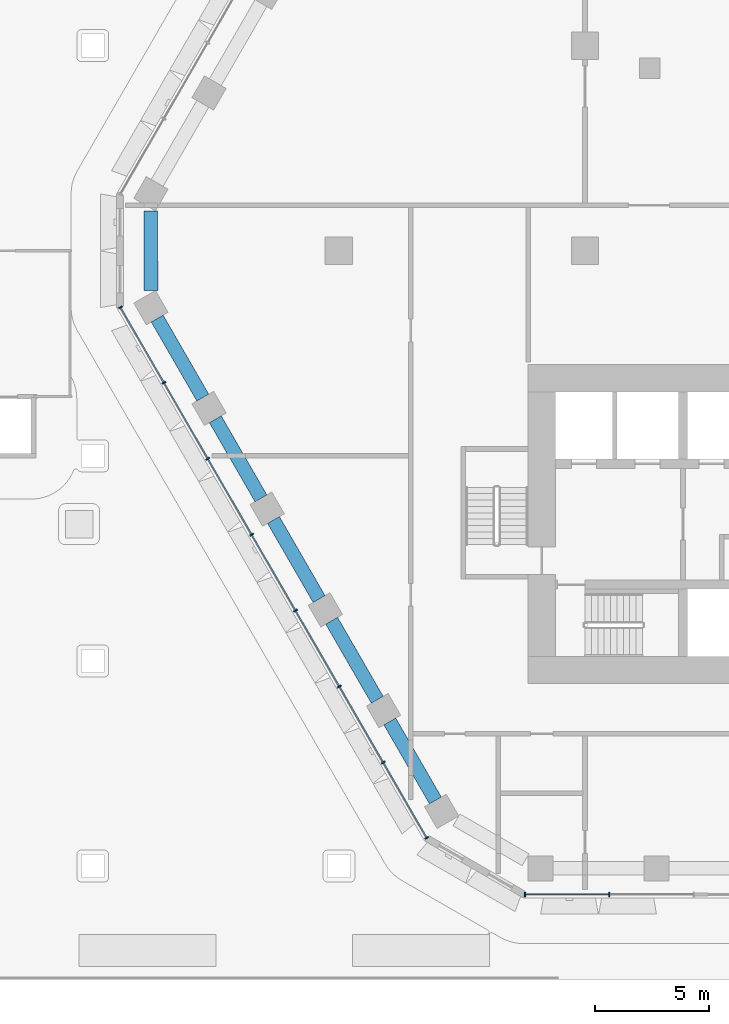
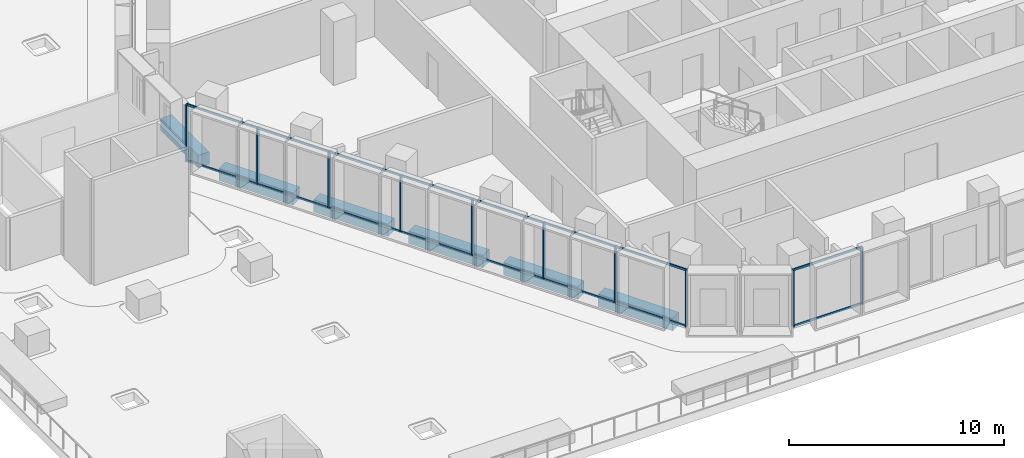
# One storey, part 6 of 38: 26 members, 6 beams, 2 elements without a shape of their own.
"""IFC4 building model written with IfcOpenShell, lengths in metres."""

from ifc_helpers import new_model, si_unit, direction, frame, origin, origin_2d, place, context, subcontext, project, spatial, rectangle, hollow_rectangle, extrude, material, material_profile, profile_set, type_object, element, aggregate, save


model = new_model("IFC4")

# Units and contexts
model_context = context("Model", 3, precision=1e-05, world=origin(), true_north=direction((0.0, 1.0)))
body_context = subcontext(model_context, "Body", "Model", "MODEL_VIEW")
ifc_project = project(units=[si_unit("LENGTHUNIT", "METRE"), si_unit("AREAUNIT", "SQUARE_METRE"), si_unit("VOLUMEUNIT", "CUBIC_METRE"), si_unit("PLANEANGLEUNIT", "RADIAN"), si_unit("MASSUNIT", "GRAM", prefix="KILO")], contexts=[model_context])

# Site, building, storey
site_placement = place(None, origin())
site = spatial("IfcSite", under=ifc_project, at=site_placement, CompositionType="ELEMENT")
building_placement = place(site_placement, origin())
building = spatial("IfcBuilding", under=site, at=building_placement, Name="Beryl Residences", CompositionType="ELEMENT")
storey_placement = place(building_placement, frame((0.0, 0.0, 9.0)))
storey = spatial("IfcBuildingStorey", under=building, at=storey_placement, Name="L02", CompositionType="ELEMENT", Elevation=9.0)

# Curtain wall, members
ifc_material_1 = material(Name="Aluminium and clear glass", Category="aluminium")
curtain_wall_type = type_object("IfcCurtainWallType", Name="CW2 amenity glazing glazed wall", PredefinedType="NOTDEFINED", material=ifc_material_1)
curtain_wall_1_placement = place(storey_placement, origin())
curtain_wall_1 = element("IfcCurtainWall", 1, at=curtain_wall_1_placement, inside=storey, type_object=curtain_wall_type, Name="CW2 L02 SW", PredefinedType="NOTDEFINED")
ifc_material_2 = material(Name="Aluminium", Category="aluminium")
ifc_material_profile_1 = material_profile(ifc_material_2, rectangle(XDim=0.06005859375, YDim=0.179931640625, at=origin_2d()))
ifc_profile_set_1 = profile_set([ifc_material_profile_1], Name="Aluminium")
member_type_1 = type_object("IfcMemberType", Name="CW2-M mullion 60 x 180 mm", PredefinedType="MULLION", material=ifc_profile_set_1)
member_1_placement = place(storey_placement, frame((-31.18505859375, -2.486083984375, 0.0), z_axis=(0.0, 0.0, 1.0), x_axis=(0.500011643322, -0.866018681405, 0.0)))
member_1 = element("IfcMember", 2, at=member_1_placement, type_object=member_type_1, Name="CW2 mullion 1", PredefinedType="MULLION", context=body_context, shape_type="SweptSolid", body=[
    extrude(rectangle(XDim=0.06005859375, YDim=0.179931640625, at=origin_2d()), origin(), (0.0, 0.0, 1.0), 3.25),
])
member_2_placement = place(storey_placement, frame((-29.275634765625, -5.79296875, 0.0), z_axis=(0.0, 0.0, 1.0), x_axis=(0.500011643322, -0.866018681405, 0.0)))
member_2 = element("IfcMember", 3, at=member_2_placement, type_object=member_type_1, Name="CW2 mullion 2", PredefinedType="MULLION", context=body_context, shape_type="SweptSolid", body=[
    extrude(rectangle(XDim=0.06005859375, YDim=0.179931640625, at=origin_2d()), origin(), (0.0, 0.0, 1.0), 3.25),
])
member_3_placement = place(storey_placement, frame((-27.351318359375, -9.125732421875, 0.0), z_axis=(0.0, 0.0, 1.0), x_axis=(0.500011643322, -0.866018681405, 0.0)))
member_3 = element("IfcMember", 4, at=member_3_placement, type_object=member_type_1, Name="CW2 mullion 3", PredefinedType="MULLION", context=body_context, shape_type="SweptSolid", body=[
    extrude(rectangle(XDim=0.06005859375, YDim=0.179931640625, at=origin_2d()), origin(), (0.0, 0.0, 1.0), 3.25),
])
member_4_placement = place(storey_placement, frame((-25.42724609375, -12.45849609375, 0.0), z_axis=(0.0, 0.0, 1.0), x_axis=(0.500011643322, -0.866018681405, 0.0)))
member_4 = element("IfcMember", 5, at=member_4_placement, type_object=member_type_1, Name="CW2 mullion 4", PredefinedType="MULLION", context=body_context, shape_type="SweptSolid", body=[
    extrude(rectangle(XDim=0.06005859375, YDim=0.179931640625, at=origin_2d()), origin(), (0.0, 0.0, 1.0), 3.25),
])
member_5_placement = place(storey_placement, frame((-23.5029296875, -15.79150390625, 0.0), z_axis=(0.0, 0.0, 1.0), x_axis=(0.500011643322, -0.866018681405, 0.0)))
member_5 = element("IfcMember", 6, at=member_5_placement, type_object=member_type_1, Name="CW2 mullion 5", PredefinedType="MULLION", context=body_context, shape_type="SweptSolid", body=[
    extrude(rectangle(XDim=0.06005859375, YDim=0.179931640625, at=origin_2d()), origin(), (0.0, 0.0, 1.0), 3.25),
])
member_6_placement = place(storey_placement, frame((-21.57861328125, -19.124267578125, 0.0), z_axis=(0.0, 0.0, 1.0), x_axis=(0.500011643322, -0.866018681405, 0.0)))
member_6 = element("IfcMember", 7, at=member_6_placement, type_object=member_type_1, Name="CW2 mullion 6", PredefinedType="MULLION", context=body_context, shape_type="SweptSolid", body=[
    extrude(rectangle(XDim=0.06005859375, YDim=0.179931640625, at=origin_2d()), origin(), (0.0, 0.0, 1.0), 3.25),
])
member_7_placement = place(storey_placement, frame((-19.654296875, -22.45703125, 0.0), z_axis=(0.0, 0.0, 1.0), x_axis=(0.500011643322, -0.866018681405, 0.0)))
member_7 = element("IfcMember", 8, at=member_7_placement, type_object=member_type_1, Name="CW2 mullion 7", PredefinedType="MULLION", context=body_context, shape_type="SweptSolid", body=[
    extrude(rectangle(XDim=0.06005859375, YDim=0.179931640625, at=origin_2d()), origin(), (0.0, 0.0, 1.0), 3.25),
])
member_8_placement = place(storey_placement, frame((-17.7451171875, -25.763916015625, 0.0), z_axis=(0.0, 0.0, 1.0), x_axis=(0.500011643322, -0.866018681405, 0.0)))
member_8 = element("IfcMember", 9, at=member_8_placement, type_object=member_type_1, Name="CW2 mullion 8", PredefinedType="MULLION", context=body_context, shape_type="SweptSolid", body=[
    extrude(rectangle(XDim=0.06005859375, YDim=0.179931640625, at=origin_2d()), origin(), (0.0, 0.0, 1.0), 3.25),
])

curtain_wall_2_placement = place(storey_placement, origin())
curtain_wall_2 = element("IfcCurtainWall", 10, at=curtain_wall_2_placement, inside=storey, type_object=curtain_wall_type, Name="CW2 L02 S", PredefinedType="NOTDEFINED")
member_9_placement = place(storey_placement, frame((-13.43994140625, -28.25, 0.0), z_axis=(0.0, 0.0, 1.0), x_axis=(1.0, 0.0, 0.0)))
member_9 = element("IfcMember", 11, at=member_9_placement, type_object=member_type_1, Name="CW2 mullion 1", PredefinedType="MULLION", context=body_context, shape_type="SweptSolid", body=[
    extrude(rectangle(XDim=0.06005859375, YDim=0.179931640625, at=origin_2d()), origin(), (0.0, 0.0, 1.0), 3.25),
])
member_10_placement = place(storey_placement, frame((-9.735107421875, -28.25, 0.0), z_axis=(0.0, 0.0, 1.0), x_axis=(1.0, 0.0, 0.0)))
member_10 = element("IfcMember", 12, at=member_10_placement, type_object=member_type_1, Name="CW2 mullion 2", PredefinedType="MULLION", context=body_context, shape_type="SweptSolid", body=[
    extrude(rectangle(XDim=0.06005859375, YDim=0.179931640625, at=origin_2d()), origin(), (0.0, 0.0, 1.0), 3.25),
])

# Member
ifc_material_3 = material(Name="Aluminium", Category="aluminium")
ifc_material_profile_2 = material_profile(ifc_material_3, hollow_rectangle(XDim=0.06005859375, YDim=0.1201171875, WallThickness=0.00390625, at=origin_2d()))
ifc_profile_set_2 = profile_set([ifc_material_profile_2], Name="Aluminium")
member_type_2 = type_object("IfcMemberType", Name="CW2-T transom 60 x 120 mm", PredefinedType="USERDEFINED", material=ifc_profile_set_2)
member_11_placement = place(storey_placement, frame((-31.169921875, -2.511962890625, 0.030029296875), z_axis=(0.499988609959, -0.866031979728, 0.0), x_axis=(0.866031979728, 0.499988609959, 0.0)))
member_11 = element("IfcMember", 13, at=member_11_placement, type_object=member_type_2, Name="CW2 transom 1.1", ObjectType="TRANSOM", PredefinedType="USERDEFINED", context=body_context, shape_type="SweptSolid", body=[
    extrude(hollow_rectangle(XDim=0.06005859375, YDim=0.1201171875, WallThickness=0.00390625, at=origin_2d()), origin(), (0.0, 0.0, 1.0), 3.75830078125),
])

member_12_placement = place(storey_placement, frame((-31.169921875, -2.511962890625, 3.219970703125), z_axis=(0.499988609959, -0.866031979728, 0.0), x_axis=(0.866031979728, 0.499988609959, 0.0)))
member_12 = element("IfcMember", 14, at=member_12_placement, type_object=member_type_2, Name="CW2 transom 1.2", ObjectType="TRANSOM", PredefinedType="USERDEFINED", context=body_context, shape_type="SweptSolid", body=[
    extrude(hollow_rectangle(XDim=0.06005859375, YDim=0.1201171875, WallThickness=0.00390625, at=origin_2d()), origin(), (0.0, 0.0, 1.0), 3.75830078125),
])

member_13_placement = place(storey_placement, frame((-29.2607421875, -5.81884765625, 0.030029296875), z_axis=(0.499999503755, -0.866025690291, 0.0), x_axis=(0.866025690291, 0.499999503755, 0.0)))
member_13 = element("IfcMember", 15, at=member_13_placement, type_object=member_type_2, Name="CW2 transom 2.1", ObjectType="TRANSOM", PredefinedType="USERDEFINED", context=body_context, shape_type="SweptSolid", body=[
    extrude(hollow_rectangle(XDim=0.06005859375, YDim=0.1201171875, WallThickness=0.00390625, at=origin_2d()), origin(), (0.0, 0.0, 1.0), 3.78857421875),
])

member_14_placement = place(storey_placement, frame((-29.2607421875, -5.81884765625, 3.219970703125), z_axis=(0.499999503755, -0.866025690291, 0.0), x_axis=(0.866025690291, 0.499999503755, 0.0)))
member_14 = element("IfcMember", 16, at=member_14_placement, type_object=member_type_2, Name="CW2 transom 2.2", ObjectType="TRANSOM", PredefinedType="USERDEFINED", context=body_context, shape_type="SweptSolid", body=[
    extrude(hollow_rectangle(XDim=0.06005859375, YDim=0.1201171875, WallThickness=0.00390625, at=origin_2d()), origin(), (0.0, 0.0, 1.0), 3.78857421875),
])

member_15_placement = place(storey_placement, frame((-27.33642578125, -9.151611328125, 0.030029296875), z_axis=(0.499999503755, -0.866025690291, 0.0), x_axis=(0.866025690291, 0.499999503755, 0.0)))
member_15 = element("IfcMember", 17, at=member_15_placement, type_object=member_type_2, Name="CW2 transom 3.1", ObjectType="TRANSOM", PredefinedType="USERDEFINED", context=body_context, shape_type="SweptSolid", body=[
    extrude(hollow_rectangle(XDim=0.06005859375, YDim=0.1201171875, WallThickness=0.00390625, at=origin_2d()), origin(), (0.0, 0.0, 1.0), 3.78857421875),
])

member_16_placement = place(storey_placement, frame((-27.33642578125, -9.151611328125, 3.219970703125), z_axis=(0.499999503755, -0.866025690291, 0.0), x_axis=(0.866025690291, 0.499999503755, 0.0)))
member_16 = element("IfcMember", 18, at=member_16_placement, type_object=member_type_2, Name="CW2 transom 3.2", ObjectType="TRANSOM", PredefinedType="USERDEFINED", context=body_context, shape_type="SweptSolid", body=[
    extrude(hollow_rectangle(XDim=0.06005859375, YDim=0.1201171875, WallThickness=0.00390625, at=origin_2d()), origin(), (0.0, 0.0, 1.0), 3.78857421875),
])

member_17_placement = place(storey_placement, frame((-25.412109375, -12.484619140625, 0.030029296875), z_axis=(0.500027408906, -0.866009578667, 0.0), x_axis=(0.866009578667, 0.500027408906, 0.0)))
member_17 = element("IfcMember", 19, at=member_17_placement, type_object=member_type_2, Name="CW2 transom 4.1", ObjectType="TRANSOM", PredefinedType="USERDEFINED", context=body_context, shape_type="SweptSolid", body=[
    extrude(hollow_rectangle(XDim=0.06005859375, YDim=0.1201171875, WallThickness=0.00390625, at=origin_2d()), origin(), (0.0, 0.0, 1.0), 3.788330078125),
])

member_18_placement = place(storey_placement, frame((-25.412109375, -12.484619140625, 3.219970703125), z_axis=(0.500027408906, -0.866009578667, 0.0), x_axis=(0.866009578667, 0.500027408906, 0.0)))
member_18 = element("IfcMember", 20, at=member_18_placement, type_object=member_type_2, Name="CW2 transom 4.2", ObjectType="TRANSOM", PredefinedType="USERDEFINED", context=body_context, shape_type="SweptSolid", body=[
    extrude(hollow_rectangle(XDim=0.06005859375, YDim=0.1201171875, WallThickness=0.00390625, at=origin_2d()), origin(), (0.0, 0.0, 1.0), 3.788330078125),
])

member_19_placement = place(storey_placement, frame((-23.48779296875, -15.8173828125, 0.030029296875), z_axis=(0.499999503755, -0.866025690291, 0.0), x_axis=(0.866025690291, 0.499999503755, 0.0)))
member_19 = element("IfcMember", 21, at=member_19_placement, type_object=member_type_2, Name="CW2 transom 5.1", ObjectType="TRANSOM", PredefinedType="USERDEFINED", context=body_context, shape_type="SweptSolid", body=[
    extrude(hollow_rectangle(XDim=0.06005859375, YDim=0.1201171875, WallThickness=0.00390625, at=origin_2d()), origin(), (0.0, 0.0, 1.0), 3.78857421875),
])

member_20_placement = place(storey_placement, frame((-23.48779296875, -15.8173828125, 3.219970703125), z_axis=(0.499999503755, -0.866025690291, 0.0), x_axis=(0.866025690291, 0.499999503755, 0.0)))
member_20 = element("IfcMember", 22, at=member_20_placement, type_object=member_type_2, Name="CW2 transom 5.2", ObjectType="TRANSOM", PredefinedType="USERDEFINED", context=body_context, shape_type="SweptSolid", body=[
    extrude(hollow_rectangle(XDim=0.06005859375, YDim=0.1201171875, WallThickness=0.00390625, at=origin_2d()), origin(), (0.0, 0.0, 1.0), 3.78857421875),
])

member_21_placement = place(storey_placement, frame((-21.5634765625, -19.150146484375, 0.030029296875), z_axis=(0.499999503755, -0.866025690291, 0.0), x_axis=(0.866025690291, 0.499999503755, 0.0)))
member_21 = element("IfcMember", 23, at=member_21_placement, type_object=member_type_2, Name="CW2 transom 6.1", ObjectType="TRANSOM", PredefinedType="USERDEFINED", context=body_context, shape_type="SweptSolid", body=[
    extrude(hollow_rectangle(XDim=0.06005859375, YDim=0.1201171875, WallThickness=0.00390625, at=origin_2d()), origin(), (0.0, 0.0, 1.0), 3.78857421875),
])

member_22_placement = place(storey_placement, frame((-21.5634765625, -19.150146484375, 3.219970703125), z_axis=(0.499999503755, -0.866025690291, 0.0), x_axis=(0.866025690291, 0.499999503755, 0.0)))
member_22 = element("IfcMember", 24, at=member_22_placement, type_object=member_type_2, Name="CW2 transom 6.2", ObjectType="TRANSOM", PredefinedType="USERDEFINED", context=body_context, shape_type="SweptSolid", body=[
    extrude(hollow_rectangle(XDim=0.06005859375, YDim=0.1201171875, WallThickness=0.00390625, at=origin_2d()), origin(), (0.0, 0.0, 1.0), 3.78857421875),
])

member_23_placement = place(storey_placement, frame((-19.639404296875, -22.483154296875, 0.030029296875), z_axis=(0.500037327496, -0.866003851672, 0.0), x_axis=(0.866003851672, 0.500037327496, 0.0)))
member_23 = element("IfcMember", 25, at=member_23_placement, type_object=member_type_2, Name="CW2 transom 7.1", ObjectType="TRANSOM", PredefinedType="USERDEFINED", context=body_context, shape_type="SweptSolid", body=[
    extrude(hollow_rectangle(XDim=0.06005859375, YDim=0.1201171875, WallThickness=0.00390625, at=origin_2d()), origin(), (0.0, 0.0, 1.0), 3.758544921875),
])

member_24_placement = place(storey_placement, frame((-19.639404296875, -22.483154296875, 3.219970703125), z_axis=(0.500037327496, -0.866003851672, 0.0), x_axis=(0.866003851672, 0.500037327496, 0.0)))
member_24 = element("IfcMember", 26, at=member_24_placement, type_object=member_type_2, Name="CW2 transom 7.2", ObjectType="TRANSOM", PredefinedType="USERDEFINED", context=body_context, shape_type="SweptSolid", body=[
    extrude(hollow_rectangle(XDim=0.06005859375, YDim=0.1201171875, WallThickness=0.00390625, at=origin_2d()), origin(), (0.0, 0.0, 1.0), 3.758544921875),
])

aggregate(curtain_wall_1, [member_1, member_2, member_3, member_4, member_5, member_6, member_7, member_8, member_11, member_12, member_13, member_14, member_15, member_16, member_17, member_18, member_19, member_20, member_21, member_22, member_23, member_24])

member_25_placement = place(storey_placement, frame((-13.409912109375, -28.25, 0.030029296875), z_axis=(1.0, 0.0, 0.0), x_axis=(0.0, 1.0, 0.0)))
member_25 = element("IfcMember", 27, at=member_25_placement, type_object=member_type_2, Name="CW2 transom 1.1", ObjectType="TRANSOM", PredefinedType="USERDEFINED", context=body_context, shape_type="SweptSolid", body=[
    extrude(hollow_rectangle(XDim=0.06005859375, YDim=0.1201171875, WallThickness=0.00390625, at=origin_2d()), origin(), (0.0, 0.0, 1.0), 3.64501953125),
])

member_26_placement = place(storey_placement, frame((-13.409912109375, -28.25, 3.219970703125), z_axis=(1.0, 0.0, 0.0), x_axis=(0.0, 1.0, 0.0)))
member_26 = element("IfcMember", 28, at=member_26_placement, type_object=member_type_2, Name="CW2 transom 1.2", ObjectType="TRANSOM", PredefinedType="USERDEFINED", context=body_context, shape_type="SweptSolid", body=[
    extrude(hollow_rectangle(XDim=0.06005859375, YDim=0.1201171875, WallThickness=0.00390625, at=origin_2d()), origin(), (0.0, 0.0, 1.0), 3.64501953125),
])

aggregate(curtain_wall_2, [member_9, member_10, member_25, member_26])

# Beams
ifc_material_4 = material(Name="Concrete C80/95", Category="concrete")
ifc_material_profile_3 = material_profile(ifc_material_4, rectangle(XDim=0.60009765625, YDim=0.699951171875, at=origin_2d()))
ifc_profile_set_3 = profile_set([ifc_material_profile_3], Name="Concrete C80/95")
beam_type = type_object("IfcBeamType", Name="SB1 spandrel beam 600 x 700 C80/95", PredefinedType="SPANDREL", material=ifc_profile_set_3)
beam_1_placement = place(storey_placement, frame((-29.84912109375, 1.748046875, -0.85009765625), z_axis=(0.000349064486, -0.999999939077, 0.0), x_axis=(0.999999939077, 0.000349064486, 0.0)))
element("IfcBeam", 29, at=beam_1_placement, inside=storey, type_object=beam_type, Name="SB1 L02 NW-5", PredefinedType="SPANDREL", context=body_context, shape_type="SweptSolid", body=[
    extrude(rectangle(XDim=0.60009765625, YDim=0.699951171875, at=origin_2d()), origin(), (0.0, 0.0, 1.0), 3.4970703125),
])
beam_2_placement = place(storey_placement, frame((-29.572998046875, -2.97607421875, -0.85009765625), z_axis=(0.499653843024, -0.866225165388, 0.0), x_axis=(0.866225165388, 0.499653843024, 0.0)))
element("IfcBeam", 30, at=beam_2_placement, inside=storey, type_object=beam_type, Name="SB1 L02 SW-0", PredefinedType="SPANDREL", context=body_context, shape_type="SweptSolid", body=[
    extrude(rectangle(XDim=0.60009765625, YDim=0.699951171875, at=origin_2d()), origin(), (0.0, 0.0, 1.0), 4.004638671875),
])
for number, where, z_axis, x_axis, name in (
    (31, (-27.02197265625, -7.39697265625, -0.85009765625), (0.499942357345, -0.866058681229, 0.0), (0.866058681229, 0.499942357345, 0.0), "SB1 L02 SW-1"),
    (32, (-24.469970703125, -11.81689453125, -0.85009765625), (0.499942357345, -0.866058681229, 0.0), (0.866058681229, 0.499942357345, 0.0), "SB1 L02 SW-2"),
    (33, (-21.91796875, -16.237060546875, -0.85009765625), (0.499942357345, -0.866058681229, 0.0), (0.866058681229, 0.499942357345, 0.0), "SB1 L02 SW-3"),
    (34, (-19.365966796875, -20.656982421875, -0.85009765625), (0.499942357345, -0.866058681229, 0.0), (0.866058681229, 0.499942357345, 0.0), "SB1 L02 SW-4"),
):
    element("IfcBeam", number, at=place(storey_placement, frame(where, z_axis=z_axis, x_axis=x_axis)), inside=storey, type_object=beam_type, Name=name, PredefinedType="SPANDREL", context=body_context, shape_type="SweptSolid", body=[
        extrude(rectangle(XDim=0.60009765625, YDim=0.699951171875, at=origin_2d()), origin(), (0.0, 0.0, 1.0), 4.00439453125),
    ])

save(model, "model.ifc")
